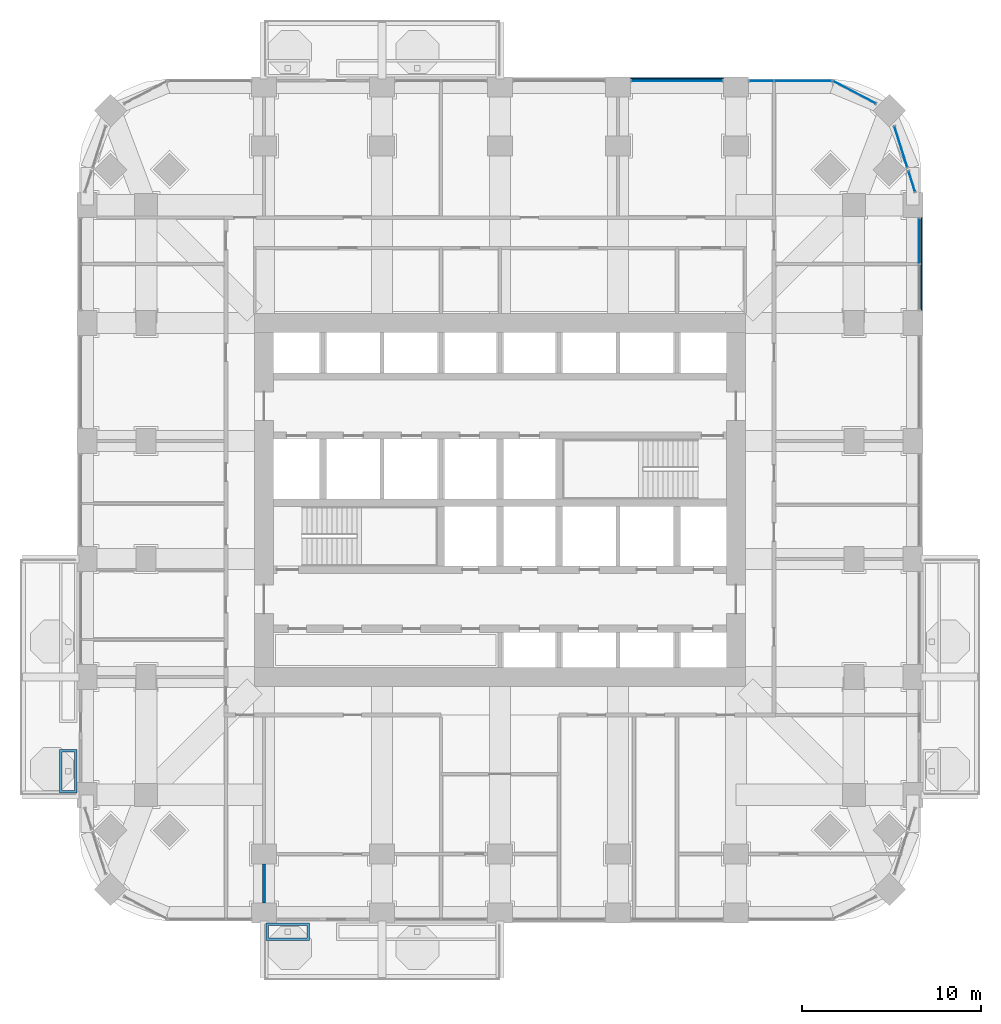
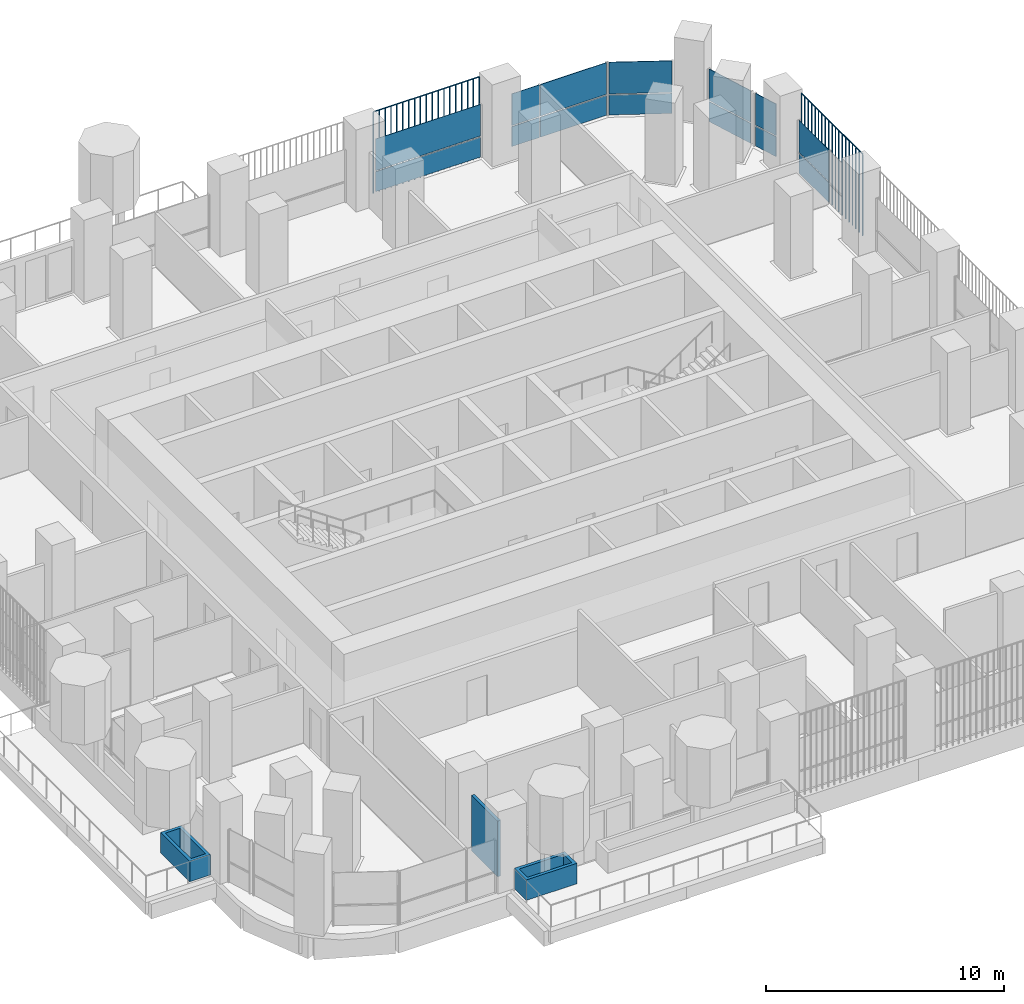
# One storey, part 12 of 21: 16 plates, 3 walls, 6 elements without a shape of their own.
"""IFC4 building model written with IfcOpenShell, lengths in metres."""

from ifc_helpers import new_model, si_unit, direction, frame, frame_2d, origin, origin_2d, place, context, subcontext, project, spatial, polyline, rectangle, outline, extrude, material, layer, layer_set, type_object, element, aggregate, save


model = new_model("IFC4")

# Units and contexts
model_context = context("Model", 3, precision=1e-05, world=origin(), true_north=direction((0.0, 1.0)))
body_context = subcontext(model_context, "Body", "Model", "MODEL_VIEW")
ifc_project = project(units=[si_unit("LENGTHUNIT", "METRE"), si_unit("AREAUNIT", "SQUARE_METRE"), si_unit("VOLUMEUNIT", "CUBIC_METRE"), si_unit("PLANEANGLEUNIT", "RADIAN"), si_unit("MASSUNIT", "GRAM", prefix="KILO")], contexts=[model_context])

# Site, building, storey
site_placement = place(None, origin())
site = spatial("IfcSite", under=ifc_project, at=site_placement, CompositionType="ELEMENT")
building_placement = place(site_placement, origin())
building = spatial("IfcBuilding", under=site, at=building_placement, Name="Cobogo Forest Laboratory Tower", CompositionType="ELEMENT")
storey_placement = place(building_placement, frame((0.0, 0.0, 115.800048828125)))
storey = spatial("IfcBuildingStorey", under=building, at=storey_placement, Name="L26", CompositionType="ELEMENT", Elevation=115.800048828125)

# Curtain wall, plates
ifc_material_1 = material(Name="Aluminium curtain wall", Category="aluminium")
curtain_wall_type = type_object("IfcCurtainWallType", Name="CW-1 unitised curtain wall, clear glazing, laboratory floors zones A and B", PredefinedType="USERDEFINED", material=ifc_material_1)
curtain_wall_1_placement = place(storey_placement, origin())
curtain_wall_1 = element("IfcCurtainWall", 1, at=curtain_wall_1_placement, inside=storey, type_object=curtain_wall_type, Name="Curtain wall 14 L26", ObjectType="UNITISED CURTAIN WALL", PredefinedType="USERDEFINED")
ifc_material_2 = material(Name="Clear insulated glass", Category="glass")
ifc_layer_1 = layer(ifc_material_2, 0.028076171875)
ifc_layer_set_1 = layer_set([ifc_layer_1], Name="GP-1 clear insulated glass unit 28")
plate_type_1 = type_object("IfcPlateType", Name="GP-1 clear insulated glass unit 28", PredefinedType="CURTAIN_PANEL", material=ifc_layer_set_1)
plate_1_placement = place(storey_placement, frame((49.85009765625, 37.5849609375, 0.0), z_axis=(0.0, 0.0, 1.0), x_axis=(0.0, 1.0, 0.0)))
plate_1 = element("IfcPlate", 2, at=plate_1_placement, type_object=plate_type_1, Name="CW-1 panel 2.1", PredefinedType="CURTAIN_PANEL", context=body_context, shape_type="SweptSolid", body=[
    extrude(rectangle(XDim=2.510009765625, YDim=0.028076171875, at=origin_2d()), origin(), (0.0, 0.0, 1.0), 1.02001953125),
])
plate_2_placement = place(storey_placement, frame((49.85009765625, 37.5849609375, 1.079833984375), z_axis=(0.0, 0.0, 1.0), x_axis=(0.0, 1.0, 0.0)))
plate_2 = element("IfcPlate", 3, at=plate_2_placement, type_object=plate_type_1, Name="CW-1 panel 2.2", PredefinedType="CURTAIN_PANEL", context=body_context, shape_type="SweptSolid", body=[
    extrude(rectangle(XDim=2.510009765625, YDim=0.028076171875, at=origin_2d()), origin(), (0.0, 0.0, 1.0), 1.6201171875),
])
aggregate(curtain_wall_1, [plate_1, plate_2])

curtain_wall_2_placement = place(storey_placement, origin())
curtain_wall_2 = element("IfcCurtainWall", 4, at=curtain_wall_2_placement, inside=storey, type_object=curtain_wall_type, Name="Curtain wall 15 L26", ObjectType="UNITISED CURTAIN WALL", PredefinedType="USERDEFINED")
plate_3_placement = place(storey_placement, frame((49.433837890625, 40.917724609375, 0.0), z_axis=(0.0, 0.0, 1.0), x_axis=(-0.301135356805, 0.953581405483, 0.0)))
plate_3 = element("IfcPlate", 5, at=plate_3_placement, type_object=plate_type_1, Name="CW-1 panel 1.1", PredefinedType="CURTAIN_PANEL", context=body_context, shape_type="SweptSolid", body=[
    extrude(rectangle(XDim=1.17578125, YDim=0.028076171875, at=origin_2d()), origin(), (0.0, 0.0, 1.0), 1.02001953125),
])
plate_4_placement = place(storey_placement, frame((49.433837890625, 40.917724609375, 1.079833984375), z_axis=(0.0, 0.0, 1.0), x_axis=(-0.301135356805, 0.953581405483, 0.0)))
plate_4 = element("IfcPlate", 6, at=plate_4_placement, type_object=plate_type_1, Name="CW-1 panel 1.2", PredefinedType="CURTAIN_PANEL", context=body_context, shape_type="SweptSolid", body=[
    extrude(rectangle(XDim=1.17578125, YDim=0.028076171875, at=origin_2d()), origin(), (0.0, 0.0, 1.0), 1.6201171875),
])
aggregate(curtain_wall_2, [plate_3, plate_4])

curtain_wall_3_placement = place(storey_placement, origin())
curtain_wall_3 = element("IfcCurtainWall", 7, at=curtain_wall_3_placement, inside=storey, type_object=curtain_wall_type, Name="Curtain wall 16 L26", ObjectType="UNITISED CURTAIN WALL", PredefinedType="USERDEFINED")
plate_5_placement = place(storey_placement, frame((48.8212890625, 42.857421875, 0.0), z_axis=(0.0, 0.0, 1.0), x_axis=(-0.301135291996, 0.953581425949, 0.0)))
plate_5 = element("IfcPlate", 8, at=plate_5_placement, type_object=plate_type_1, Name="CW-1 panel 1.1", PredefinedType="CURTAIN_PANEL", context=body_context, shape_type="SweptSolid", body=[
    extrude(rectangle(XDim=2.3681640625, YDim=0.028076171875, at=origin_2d()), origin(), (0.0, 0.0, 1.0), 1.02001953125),
])
plate_6_placement = place(storey_placement, frame((48.8212890625, 42.857421875, 1.079833984375), z_axis=(0.0, 0.0, 1.0), x_axis=(-0.301135291996, 0.953581425949, 0.0)))
plate_6 = element("IfcPlate", 9, at=plate_6_placement, type_object=plate_type_1, Name="CW-1 panel 1.2", PredefinedType="CURTAIN_PANEL", context=body_context, shape_type="SweptSolid", body=[
    extrude(rectangle(XDim=2.3681640625, YDim=0.028076171875, at=origin_2d()), origin(), (0.0, 0.0, 1.0), 1.6201171875),
])
aggregate(curtain_wall_3, [plate_5, plate_6])

curtain_wall_4_placement = place(storey_placement, origin())
curtain_wall_4 = element("IfcCurtainWall", 10, at=curtain_wall_4_placement, inside=storey, type_object=curtain_wall_type, Name="Curtain wall 17 L26", ObjectType="UNITISED CURTAIN WALL", PredefinedType="USERDEFINED")
plate_7_placement = place(storey_placement, frame((46.229248046875, 45.90576171875, 0.0), z_axis=(0.0, 0.0, 1.0), x_axis=(-0.885686547075, 0.464283685186, 0.0)))
plate_7 = element("IfcPlate", 11, at=plate_7_placement, type_object=plate_type_1, Name="CW-1 panel 1.1", PredefinedType="CURTAIN_PANEL", context=body_context, shape_type="SweptSolid", body=[
    extrude(rectangle(XDim=2.655517578125, YDim=0.028076171875, at=origin_2d()), origin(), (0.0, 0.0, 1.0), 1.02001953125),
])
plate_8_placement = place(storey_placement, frame((46.229248046875, 45.90576171875, 1.079833984375), z_axis=(0.0, 0.0, 1.0), x_axis=(-0.885686547075, 0.464283685186, 0.0)))
plate_8 = element("IfcPlate", 12, at=plate_8_placement, type_object=plate_type_1, Name="CW-1 panel 1.2", PredefinedType="CURTAIN_PANEL", context=body_context, shape_type="SweptSolid", body=[
    extrude(rectangle(XDim=2.655517578125, YDim=0.028076171875, at=origin_2d()), origin(), (0.0, 0.0, 1.0), 1.6201171875),
])
aggregate(curtain_wall_4, [plate_7, plate_8])

curtain_wall_5_placement = place(storey_placement, origin())
curtain_wall_5 = element("IfcCurtainWall", 13, at=curtain_wall_5_placement, inside=storey, type_object=curtain_wall_type, Name="Curtain wall 18 L26", ObjectType="UNITISED CURTAIN WALL", PredefinedType="USERDEFINED")
plate_9_placement = place(storey_placement, frame((43.347412109375, 46.550048828125, 0.0), z_axis=(0.0, 0.0, 1.0), x_axis=(-1.0, 0.0, 0.0)))
plate_9 = element("IfcPlate", 14, at=plate_9_placement, type_object=plate_type_1, Name="CW-1 panel 1.1", PredefinedType="CURTAIN_PANEL", context=body_context, shape_type="SweptSolid", body=[
    extrude(rectangle(XDim=3.18505859375, YDim=0.028076171875, at=origin_2d()), origin(), (0.0, 0.0, 1.0), 1.02001953125),
])
plate_10_placement = place(storey_placement, frame((43.347412109375, 46.550048828125, 1.079833984375), z_axis=(0.0, 0.0, 1.0), x_axis=(-1.0, 0.0, 0.0)))
plate_10 = element("IfcPlate", 15, at=plate_10_placement, type_object=plate_type_1, Name="CW-1 panel 1.2", PredefinedType="CURTAIN_PANEL", context=body_context, shape_type="SweptSolid", body=[
    extrude(rectangle(XDim=3.18505859375, YDim=0.028076171875, at=origin_2d()), origin(), (0.0, 0.0, 1.0), 1.6201171875),
])
plate_11_placement = place(storey_placement, frame((41.027587890625, 46.550048828125, 0.0), z_axis=(0.0, 0.0, 1.0), x_axis=(-1.0, 0.0, 0.0)))
plate_11 = element("IfcPlate", 16, at=plate_11_placement, type_object=plate_type_1, Name="CW-1 panel 2.1", PredefinedType="CURTAIN_PANEL", context=body_context, shape_type="SweptSolid", body=[
    extrude(rectangle(XDim=1.3349609375, YDim=0.028076171875, at=origin_2d()), origin(), (0.0, 0.0, 1.0), 1.02001953125),
])
plate_12_placement = place(storey_placement, frame((41.027587890625, 46.550048828125, 1.079833984375), z_axis=(0.0, 0.0, 1.0), x_axis=(-1.0, 0.0, 0.0)))
plate_12 = element("IfcPlate", 17, at=plate_12_placement, type_object=plate_type_1, Name="CW-1 panel 2.2", PredefinedType="CURTAIN_PANEL", context=body_context, shape_type="SweptSolid", body=[
    extrude(rectangle(XDim=1.3349609375, YDim=0.028076171875, at=origin_2d()), origin(), (0.0, 0.0, 1.0), 1.6201171875),
])
aggregate(curtain_wall_5, [plate_9, plate_10, plate_11, plate_12])

curtain_wall_6_placement = place(storey_placement, origin())
curtain_wall_6 = element("IfcCurtainWall", 18, at=curtain_wall_6_placement, inside=storey, type_object=curtain_wall_type, Name="Curtain wall 19 L26", ObjectType="UNITISED CURTAIN WALL", PredefinedType="USERDEFINED")
plate_13_placement = place(storey_placement, frame((36.300048828125, 46.550048828125, 0.0), z_axis=(0.0, 0.0, 1.0), x_axis=(-1.0, 0.0, 0.0)))
plate_13 = element("IfcPlate", 19, at=plate_13_placement, type_object=plate_type_1, Name="CW-1 panel 1.1", PredefinedType="CURTAIN_PANEL", context=body_context, shape_type="SweptSolid", body=[
    extrude(rectangle(XDim=5.080078125, YDim=0.028076171875, at=origin_2d()), origin(), (0.0, 0.0, 1.0), 1.02001953125),
])
plate_14_placement = place(storey_placement, frame((36.300048828125, 46.550048828125, 1.079833984375), z_axis=(0.0, 0.0, 1.0), x_axis=(-1.0, 0.0, 0.0)))
plate_14 = element("IfcPlate", 20, at=plate_14_placement, type_object=plate_type_1, Name="CW-1 panel 1.2", PredefinedType="CURTAIN_PANEL", context=body_context, shape_type="SweptSolid", body=[
    extrude(rectangle(XDim=5.080078125, YDim=0.028076171875, at=origin_2d()), origin(), (0.0, 0.0, 1.0), 1.6201171875),
])
aggregate(curtain_wall_6, [plate_13, plate_14])

# Plates
ifc_material_3 = material(Name="Terracotta", Category="masonry")
plate_type_2 = type_object("IfcPlateType", Name="TB1 terracotta baguette screen", PredefinedType="USERDEFINED", material=ifc_material_3)
plate_15_placement = place(storey_placement, frame((49.977783203125, 33.731201171875, -0.150146484375)))
element("IfcPlate", 21, at=plate_15_placement, inside=storey, type_object=plate_type_2, Name="Baguette screen E5 L26", ObjectType="BAGUETTE SCREEN", PredefinedType="USERDEFINED", context=body_context, shape_type="SweptSolid", body=[
    extrude(outline(polyline([(0.02880859375, 0.011962890625), (0.011962890625, 0.02880859375), (-0.011962890625, 0.02880859375), (-0.02880859375, 0.011962890625), (-0.02880859375, -0.011962890625), (-0.011962890625, -0.02880859375), (0.011962890625, -0.02880859375), (0.02880859375, -0.011962890625), (0.02880859375, 0.011962890625)])), frame((0.0, 0.0, 4.168701171875), z_axis=(0.0, 1.0, 0.0), x_axis=(-1.0, 0.0, 0.0)), (0.0, 0.0, 1.0), 5.137451171875),
    extrude(outline(polyline([(0.02880859375, 0.011962890625), (0.011962890625, 0.02880859375), (-0.011962890625, 0.02880859375), (-0.02880859375, 0.011962890625), (-0.02880859375, -0.011962890625), (-0.011962890625, -0.02880859375), (0.011962890625, -0.02880859375), (0.02880859375, -0.011962890625), (0.02880859375, 0.011962890625)])), origin(), (0.0, 0.0, 1.0), 4.137451171875),
    extrude(outline(polyline([(0.02880859375, 0.011962890625), (0.011962890625, 0.02880859375), (-0.011962890625, 0.02880859375), (-0.02880859375, 0.011962890625), (-0.02880859375, -0.011962890625), (-0.011962890625, -0.02880859375), (0.011962890625, -0.02880859375), (0.02880859375, -0.011962890625), (0.02880859375, 0.011962890625)])), frame((0.0, 0.285400390625, 0.0)), (0.0, 0.0, 1.0), 4.137451171875),
    extrude(outline(polyline([(0.02880859375, 0.011962890625), (0.011962890625, 0.02880859375), (-0.011962890625, 0.02880859375), (-0.02880859375, 0.011962890625), (-0.02880859375, -0.011962890625), (-0.011962890625, -0.02880859375), (0.011962890625, -0.02880859375), (0.02880859375, -0.011962890625), (0.02880859375, 0.011962890625)])), frame((0.0, 0.57080078125, 0.0)), (0.0, 0.0, 1.0), 4.137451171875),
    extrude(outline(polyline([(0.02880859375, 0.011962890625), (0.011962890625, 0.02880859375), (-0.011962890625, 0.02880859375), (-0.02880859375, 0.011962890625), (-0.02880859375, -0.011962890625), (-0.011962890625, -0.02880859375), (0.011962890625, -0.02880859375), (0.02880859375, -0.011962890625), (0.02880859375, 0.011962890625)])), frame((0.0, 0.856201171875, 0.0)), (0.0, 0.0, 1.0), 4.137451171875),
    extrude(outline(polyline([(0.02880859375, 0.011962890625), (0.011962890625, 0.02880859375), (-0.011962890625, 0.02880859375), (-0.02880859375, 0.011962890625), (-0.02880859375, -0.011962890625), (-0.011962890625, -0.02880859375), (0.011962890625, -0.02880859375), (0.02880859375, -0.011962890625), (0.02880859375, 0.011962890625)])), frame((0.0, 1.1416015625, 0.0)), (0.0, 0.0, 1.0), 4.137451171875),
    extrude(outline(polyline([(0.02880859375, 0.011962890625), (0.011962890625, 0.02880859375), (-0.011962890625, 0.02880859375), (-0.02880859375, 0.011962890625), (-0.02880859375, -0.011962890625), (-0.011962890625, -0.02880859375), (0.011962890625, -0.02880859375), (0.02880859375, -0.011962890625), (0.02880859375, 0.011962890625)])), frame((0.0, 1.427001953125, 0.0)), (0.0, 0.0, 1.0), 4.137451171875),
    extrude(outline(polyline([(0.02880859375, 0.011962890625), (0.011962890625, 0.02880859375), (-0.011962890625, 0.02880859375), (-0.02880859375, 0.011962890625), (-0.02880859375, -0.011962890625), (-0.011962890625, -0.02880859375), (0.011962890625, -0.02880859375), (0.02880859375, -0.011962890625), (0.02880859375, 0.011962890625)])), frame((0.0, 1.71240234375, 0.0)), (0.0, 0.0, 1.0), 4.137451171875),
    extrude(outline(polyline([(0.02880859375, 0.011962890625), (0.011962890625, 0.02880859375), (-0.011962890625, 0.02880859375), (-0.02880859375, 0.011962890625), (-0.02880859375, -0.011962890625), (-0.011962890625, -0.02880859375), (0.011962890625, -0.02880859375), (0.02880859375, -0.011962890625), (0.02880859375, 0.011962890625)])), frame((0.0, 1.997802734375, 0.0)), (0.0, 0.0, 1.0), 4.137451171875),
    extrude(outline(polyline([(0.02880859375, 0.011962890625), (0.011962890625, 0.02880859375), (-0.011962890625, 0.02880859375), (-0.02880859375, 0.011962890625), (-0.02880859375, -0.011962890625), (-0.011962890625, -0.02880859375), (0.011962890625, -0.02880859375), (0.02880859375, -0.011962890625), (0.02880859375, 0.011962890625)])), frame((0.0, 2.283203125, 0.0)), (0.0, 0.0, 1.0), 4.137451171875),
    extrude(outline(polyline([(0.02880859375, 0.011962890625), (0.011962890625, 0.02880859375), (-0.011962890625, 0.02880859375), (-0.02880859375, 0.011962890625), (-0.02880859375, -0.011962890625), (-0.011962890625, -0.02880859375), (0.011962890625, -0.02880859375), (0.02880859375, -0.011962890625), (0.02880859375, 0.011962890625)])), frame((0.0, 2.56884765625, 0.0)), (0.0, 0.0, 1.0), 4.137451171875),
    extrude(outline(polyline([(0.02880859375, 0.011962890625), (0.011962890625, 0.02880859375), (-0.011962890625, 0.02880859375), (-0.02880859375, 0.011962890625), (-0.02880859375, -0.011962890625), (-0.011962890625, -0.02880859375), (0.011962890625, -0.02880859375), (0.02880859375, -0.011962890625), (0.02880859375, 0.011962890625)])), frame((0.0, 2.854248046875, 0.0)), (0.0, 0.0, 1.0), 4.137451171875),
    extrude(outline(polyline([(0.02880859375, 0.011962890625), (0.011962890625, 0.02880859375), (-0.011962890625, 0.02880859375), (-0.02880859375, 0.011962890625), (-0.02880859375, -0.011962890625), (-0.011962890625, -0.02880859375), (0.011962890625, -0.02880859375), (0.02880859375, -0.011962890625), (0.02880859375, 0.011962890625)])), frame((0.0, 3.1396484375, 0.0)), (0.0, 0.0, 1.0), 4.137451171875),
    extrude(outline(polyline([(0.02880859375, 0.011962890625), (0.011962890625, 0.02880859375), (-0.011962890625, 0.02880859375), (-0.02880859375, 0.011962890625), (-0.02880859375, -0.011962890625), (-0.011962890625, -0.02880859375), (0.011962890625, -0.02880859375), (0.02880859375, -0.011962890625), (0.02880859375, 0.011962890625)])), frame((0.0, 3.425048828125, 0.0)), (0.0, 0.0, 1.0), 4.137451171875),
    extrude(outline(polyline([(0.02880859375, 0.011962890625), (0.011962890625, 0.02880859375), (-0.011962890625, 0.02880859375), (-0.02880859375, 0.011962890625), (-0.02880859375, -0.011962890625), (-0.011962890625, -0.02880859375), (0.011962890625, -0.02880859375), (0.02880859375, -0.011962890625), (0.02880859375, 0.011962890625)])), frame((0.0, 3.71044921875, 0.0)), (0.0, 0.0, 1.0), 4.137451171875),
    extrude(outline(polyline([(0.02880859375, 0.011962890625), (0.011962890625, 0.02880859375), (-0.011962890625, 0.02880859375), (-0.02880859375, 0.011962890625), (-0.02880859375, -0.011962890625), (-0.011962890625, -0.02880859375), (0.011962890625, -0.02880859375), (0.02880859375, -0.011962890625), (0.02880859375, 0.011962890625)])), frame((0.0, 3.995849609375, 0.0)), (0.0, 0.0, 1.0), 4.137451171875),
    extrude(outline(polyline([(0.02880859375, 0.011962890625), (0.011962890625, 0.02880859375), (-0.011962890625, 0.02880859375), (-0.02880859375, 0.011962890625), (-0.02880859375, -0.011962890625), (-0.011962890625, -0.02880859375), (0.011962890625, -0.02880859375), (0.02880859375, -0.011962890625), (0.02880859375, 0.011962890625)])), frame((0.0, 4.28125, 0.0)), (0.0, 0.0, 1.0), 4.137451171875),
    extrude(outline(polyline([(0.02880859375, 0.011962890625), (0.011962890625, 0.02880859375), (-0.011962890625, 0.02880859375), (-0.02880859375, 0.011962890625), (-0.02880859375, -0.011962890625), (-0.011962890625, -0.02880859375), (0.011962890625, -0.02880859375), (0.02880859375, -0.011962890625), (0.02880859375, 0.011962890625)])), frame((0.0, 4.566650390625, 0.0)), (0.0, 0.0, 1.0), 4.137451171875),
    extrude(outline(polyline([(0.02880859375, 0.011962890625), (0.011962890625, 0.02880859375), (-0.011962890625, 0.02880859375), (-0.02880859375, 0.011962890625), (-0.02880859375, -0.011962890625), (-0.011962890625, -0.02880859375), (0.011962890625, -0.02880859375), (0.02880859375, -0.011962890625), (0.02880859375, 0.011962890625)])), frame((0.0, 4.85205078125, 0.0)), (0.0, 0.0, 1.0), 4.137451171875),
    extrude(outline(polyline([(0.02880859375, 0.011962890625), (0.011962890625, 0.02880859375), (-0.011962890625, 0.02880859375), (-0.02880859375, 0.011962890625), (-0.02880859375, -0.011962890625), (-0.011962890625, -0.02880859375), (0.011962890625, -0.02880859375), (0.02880859375, -0.011962890625), (0.02880859375, 0.011962890625)])), frame((0.0, 5.137451171875, 0.0)), (0.0, 0.0, 1.0), 4.137451171875),
])
plate_16_placement = place(storey_placement, frame((33.731201171875, 46.677978515625, -0.150146484375)))
element("IfcPlate", 22, at=plate_16_placement, inside=storey, type_object=plate_type_2, Name="Baguette screen N4 L26", ObjectType="BAGUETTE SCREEN", PredefinedType="USERDEFINED", context=body_context, shape_type="SweptSolid", body=[
    extrude(outline(polyline([(0.02880859375, 0.011962890625), (0.011962890625, 0.02880859375), (-0.011962890625, 0.02880859375), (-0.02880859375, 0.011962890625), (-0.02880859375, -0.011962890625), (-0.011962890625, -0.02880859375), (0.011962890625, -0.02880859375), (0.02880859375, -0.011962890625), (0.02880859375, 0.011962890625)])), frame((0.0, 0.0, 4.168701171875), z_axis=(1.0, 0.0, 0.0), x_axis=(0.0, 1.0, 0.0)), (0.0, 0.0, 1.0), 5.137451171875),
    extrude(outline(polyline([(0.02880859375, 0.011962890625), (0.011962890625, 0.02880859375), (-0.011962890625, 0.02880859375), (-0.02880859375, 0.011962890625), (-0.02880859375, -0.011962890625), (-0.011962890625, -0.02880859375), (0.011962890625, -0.02880859375), (0.02880859375, -0.011962890625), (0.02880859375, 0.011962890625)])), origin(), (0.0, 0.0, 1.0), 4.137451171875),
    extrude(outline(polyline([(0.02880859375, 0.011962890625), (0.011962890625, 0.02880859375), (-0.011962890625, 0.02880859375), (-0.02880859375, 0.011962890625), (-0.02880859375, -0.011962890625), (-0.011962890625, -0.02880859375), (0.011962890625, -0.02880859375), (0.02880859375, -0.011962890625), (0.02880859375, 0.011962890625)])), frame((0.285400390625, 0.0, 0.0)), (0.0, 0.0, 1.0), 4.137451171875),
    extrude(outline(polyline([(0.02880859375, 0.011962890625), (0.011962890625, 0.02880859375), (-0.011962890625, 0.02880859375), (-0.02880859375, 0.011962890625), (-0.02880859375, -0.011962890625), (-0.011962890625, -0.02880859375), (0.011962890625, -0.02880859375), (0.02880859375, -0.011962890625), (0.02880859375, 0.011962890625)])), frame((0.57080078125, 0.0, 0.0)), (0.0, 0.0, 1.0), 4.137451171875),
    extrude(outline(polyline([(0.02880859375, 0.011962890625), (0.011962890625, 0.02880859375), (-0.011962890625, 0.02880859375), (-0.02880859375, 0.011962890625), (-0.02880859375, -0.011962890625), (-0.011962890625, -0.02880859375), (0.011962890625, -0.02880859375), (0.02880859375, -0.011962890625), (0.02880859375, 0.011962890625)])), frame((0.856201171875, 0.0, 0.0)), (0.0, 0.0, 1.0), 4.137451171875),
    extrude(outline(polyline([(0.02880859375, 0.011962890625), (0.011962890625, 0.02880859375), (-0.011962890625, 0.02880859375), (-0.02880859375, 0.011962890625), (-0.02880859375, -0.011962890625), (-0.011962890625, -0.02880859375), (0.011962890625, -0.02880859375), (0.02880859375, -0.011962890625), (0.02880859375, 0.011962890625)])), frame((1.1416015625, 0.0, 0.0)), (0.0, 0.0, 1.0), 4.137451171875),
    extrude(outline(polyline([(0.02880859375, 0.011962890625), (0.011962890625, 0.02880859375), (-0.011962890625, 0.02880859375), (-0.02880859375, 0.011962890625), (-0.02880859375, -0.011962890625), (-0.011962890625, -0.02880859375), (0.011962890625, -0.02880859375), (0.02880859375, -0.011962890625), (0.02880859375, 0.011962890625)])), frame((1.427001953125, 0.0, 0.0)), (0.0, 0.0, 1.0), 4.137451171875),
    extrude(outline(polyline([(0.02880859375, 0.011962890625), (0.011962890625, 0.02880859375), (-0.011962890625, 0.02880859375), (-0.02880859375, 0.011962890625), (-0.02880859375, -0.011962890625), (-0.011962890625, -0.02880859375), (0.011962890625, -0.02880859375), (0.02880859375, -0.011962890625), (0.02880859375, 0.011962890625)])), frame((1.71240234375, 0.0, 0.0)), (0.0, 0.0, 1.0), 4.137451171875),
    extrude(outline(polyline([(0.02880859375, 0.011962890625), (0.011962890625, 0.02880859375), (-0.011962890625, 0.02880859375), (-0.02880859375, 0.011962890625), (-0.02880859375, -0.011962890625), (-0.011962890625, -0.02880859375), (0.011962890625, -0.02880859375), (0.02880859375, -0.011962890625), (0.02880859375, 0.011962890625)])), frame((1.997802734375, 0.0, 0.0)), (0.0, 0.0, 1.0), 4.137451171875),
    extrude(outline(polyline([(0.02880859375, 0.011962890625), (0.011962890625, 0.02880859375), (-0.011962890625, 0.02880859375), (-0.02880859375, 0.011962890625), (-0.02880859375, -0.011962890625), (-0.011962890625, -0.02880859375), (0.011962890625, -0.02880859375), (0.02880859375, -0.011962890625), (0.02880859375, 0.011962890625)])), frame((2.283203125, 0.0, 0.0)), (0.0, 0.0, 1.0), 4.137451171875),
    extrude(outline(polyline([(0.02880859375, 0.011962890625), (0.011962890625, 0.02880859375), (-0.011962890625, 0.02880859375), (-0.02880859375, 0.011962890625), (-0.02880859375, -0.011962890625), (-0.011962890625, -0.02880859375), (0.011962890625, -0.02880859375), (0.02880859375, -0.011962890625), (0.02880859375, 0.011962890625)])), frame((2.56884765625, 0.0, 0.0)), (0.0, 0.0, 1.0), 4.137451171875),
    extrude(outline(polyline([(0.02880859375, 0.011962890625), (0.011962890625, 0.02880859375), (-0.011962890625, 0.02880859375), (-0.02880859375, 0.011962890625), (-0.02880859375, -0.011962890625), (-0.011962890625, -0.02880859375), (0.011962890625, -0.02880859375), (0.02880859375, -0.011962890625), (0.02880859375, 0.011962890625)])), frame((2.854248046875, 0.0, 0.0)), (0.0, 0.0, 1.0), 4.137451171875),
    extrude(outline(polyline([(0.02880859375, 0.011962890625), (0.011962890625, 0.02880859375), (-0.011962890625, 0.02880859375), (-0.02880859375, 0.011962890625), (-0.02880859375, -0.011962890625), (-0.011962890625, -0.02880859375), (0.011962890625, -0.02880859375), (0.02880859375, -0.011962890625), (0.02880859375, 0.011962890625)])), frame((3.1396484375, 0.0, 0.0)), (0.0, 0.0, 1.0), 4.137451171875),
    extrude(outline(polyline([(0.02880859375, 0.011962890625), (0.011962890625, 0.02880859375), (-0.011962890625, 0.02880859375), (-0.02880859375, 0.011962890625), (-0.02880859375, -0.011962890625), (-0.011962890625, -0.02880859375), (0.011962890625, -0.02880859375), (0.02880859375, -0.011962890625), (0.02880859375, 0.011962890625)])), frame((3.425048828125, 0.0, 0.0)), (0.0, 0.0, 1.0), 4.137451171875),
    extrude(outline(polyline([(0.02880859375, 0.011962890625), (0.011962890625, 0.02880859375), (-0.011962890625, 0.02880859375), (-0.02880859375, 0.011962890625), (-0.02880859375, -0.011962890625), (-0.011962890625, -0.02880859375), (0.011962890625, -0.02880859375), (0.02880859375, -0.011962890625), (0.02880859375, 0.011962890625)])), frame((3.71044921875, 0.0, 0.0)), (0.0, 0.0, 1.0), 4.137451171875),
    extrude(outline(polyline([(0.02880859375, 0.011962890625), (0.011962890625, 0.02880859375), (-0.011962890625, 0.02880859375), (-0.02880859375, 0.011962890625), (-0.02880859375, -0.011962890625), (-0.011962890625, -0.02880859375), (0.011962890625, -0.02880859375), (0.02880859375, -0.011962890625), (0.02880859375, 0.011962890625)])), frame((3.995849609375, 0.0, 0.0)), (0.0, 0.0, 1.0), 4.137451171875),
    extrude(outline(polyline([(0.02880859375, 0.011962890625), (0.011962890625, 0.02880859375), (-0.011962890625, 0.02880859375), (-0.02880859375, 0.011962890625), (-0.02880859375, -0.011962890625), (-0.011962890625, -0.02880859375), (0.011962890625, -0.02880859375), (0.02880859375, -0.011962890625), (0.02880859375, 0.011962890625)])), frame((4.28125, 0.0, 0.0)), (0.0, 0.0, 1.0), 4.137451171875),
    extrude(outline(polyline([(0.02880859375, 0.011962890625), (0.011962890625, 0.02880859375), (-0.011962890625, 0.02880859375), (-0.02880859375, 0.011962890625), (-0.02880859375, -0.011962890625), (-0.011962890625, -0.02880859375), (0.011962890625, -0.02880859375), (0.02880859375, -0.011962890625), (0.02880859375, 0.011962890625)])), frame((4.566650390625, 0.0, 0.0)), (0.0, 0.0, 1.0), 4.137451171875),
    extrude(outline(polyline([(0.02880859375, 0.011962890625), (0.011962890625, 0.02880859375), (-0.011962890625, 0.02880859375), (-0.02880859375, 0.011962890625), (-0.02880859375, -0.011962890625), (-0.011962890625, -0.02880859375), (0.011962890625, -0.02880859375), (0.02880859375, -0.011962890625), (0.02880859375, 0.011962890625)])), frame((4.85205078125, 0.0, 0.0)), (0.0, 0.0, 1.0), 4.137451171875),
    extrude(outline(polyline([(0.02880859375, 0.011962890625), (0.011962890625, 0.02880859375), (-0.011962890625, 0.02880859375), (-0.02880859375, 0.011962890625), (-0.02880859375, -0.011962890625), (-0.011962890625, -0.02880859375), (0.011962890625, -0.02880859375), (0.02880859375, -0.011962890625), (0.02880859375, 0.011962890625)])), frame((5.137451171875, 0.0, 0.0)), (0.0, 0.0, 1.0), 4.137451171875),
])

# Walls
ifc_material_4 = material(Name="Gypsum board on steel studs", Category="steel")
ifc_layer_2 = layer(ifc_material_4, 0.14990234375)
ifc_layer_set_2 = layer_set([ifc_layer_2], Name="PT1 laboratory partition 150")
wall_type_1 = type_object("IfcWallType", Name="PT1 laboratory partition 150", PredefinedType="PARTITIONING", material=ifc_layer_set_2)
wall_1_placement = place(storey_placement, frame((13.199951171875, 0.550048828125, 0.0), z_axis=(0.0, 0.0, 1.0), x_axis=(0.0, 1.0, 0.0)))
element("IfcWall", 23, at=wall_1_placement, inside=storey, type_object=wall_type_1, Name="Partition CUT-S13.2-1 L26", PredefinedType="PARTITIONING", context=body_context, shape_type="SweptSolid", body=[
    extrude(rectangle(XDim=2.199951171875, YDim=0.14990234375, at=frame_2d((1.10009765625, 0.0))), origin(), (0.0, 0.0, 1.0), 2.849853515625),
])
ifc_material_5 = material(Name="Concrete HA-40 (C40/50)", Category="concrete")
ifc_layer_3 = layer(ifc_material_5, 0.14990234375)
ifc_layer_set_3 = layer_set([ifc_layer_3], Name="Planter box 1000x1050")
wall_type_2 = type_object("IfcWallType", Name="Planter box 1000x1050", PredefinedType="USERDEFINED", material=ifc_layer_set_3)
wall_2_placement = place(storey_placement, origin())
element("IfcWall", 24, at=wall_2_placement, inside=storey, type_object=wall_type_2, Name="Planter BAL-S1-1 L26", ObjectType="PLANTER", PredefinedType="USERDEFINED", context=body_context, shape_type="SweptSolid", body=[
    extrude(outline(polyline([(13.300048828125, -1.550048828125), (15.75, -1.550048828125), (15.75, -0.550048828125), (13.300048828125, -0.550048828125), (13.300048828125, -1.550048828125)]), holes=[polyline([(13.449951171875, -1.39990234375), (15.60009765625, -1.39990234375), (15.60009765625, -0.699951171875), (13.449951171875, -0.699951171875), (13.449951171875, -1.39990234375)])]), origin(), (0.0, 0.0, 1.0), 1.050048828125),
])
wall_3_placement = place(storey_placement, origin())
element("IfcWall", 25, at=wall_3_placement, inside=storey, type_object=wall_type_2, Name="Planter BAL-W1-1 L26", ObjectType="PLANTER", PredefinedType="USERDEFINED", context=body_context, shape_type="SweptSolid", body=[
    extrude(outline(polyline([(1.75, 6.699951171875), (2.75, 6.699951171875), (2.75, 9.14990234375), (1.75, 9.14990234375), (1.75, 6.699951171875)]), holes=[polyline([(1.89990234375, 6.85009765625), (2.60009765625, 6.85009765625), (2.60009765625, 9.0), (1.89990234375, 9.0), (1.89990234375, 6.85009765625)])]), origin(), (0.0, 0.0, 1.0), 1.050048828125),
])

save(model, "model.ifc")
